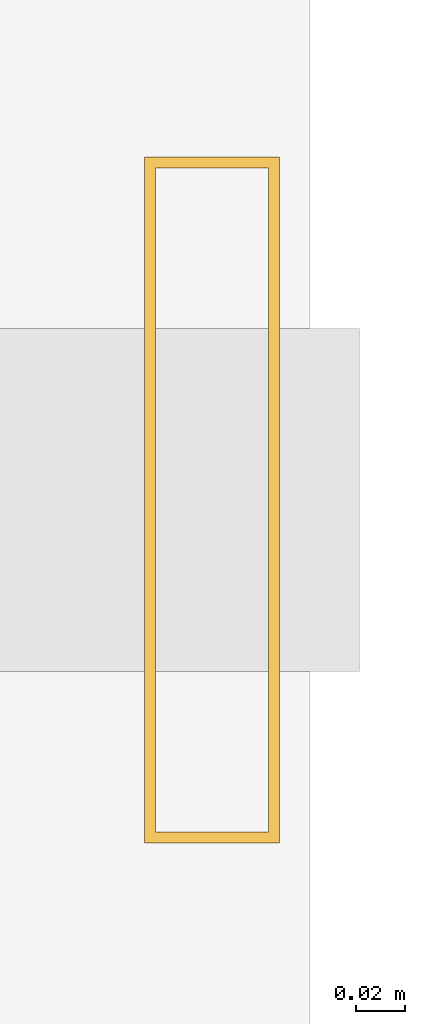
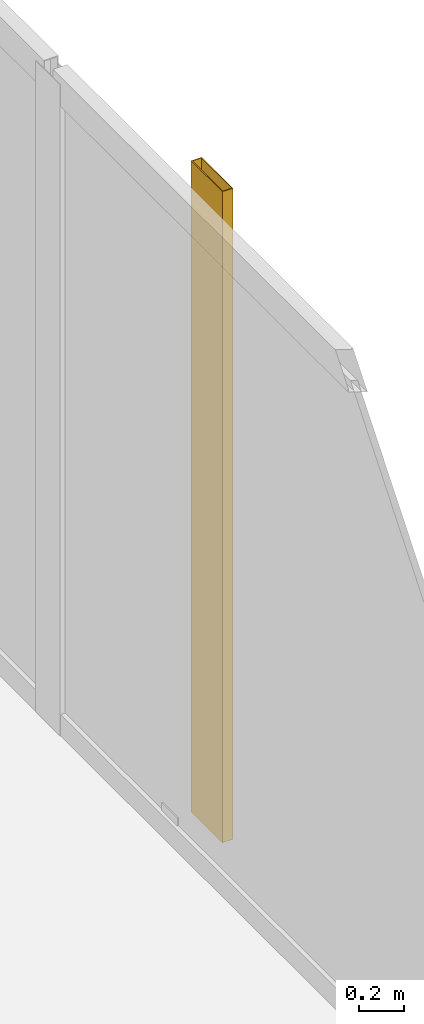
# One storey, part 23 of 23: 1 shading device.
"""IFC4 building model written with IfcOpenShell, lengths in metres."""

from ifc_helpers import new_model, si_unit, direction, frame, origin, origin_2d, place, context, subcontext, project, spatial, hollow_rectangle, extrude, material, material_profile, profile_set, type_object, element, save


model = new_model("IFC4")

# Units and contexts
model_context = context("Model", 3, precision=1e-05, world=origin(), true_north=direction((0.0, 1.0)))
body_context = subcontext(model_context, "Body", "Model", "MODEL_VIEW")
ifc_project = project(units=[si_unit("LENGTHUNIT", "METRE"), si_unit("AREAUNIT", "SQUARE_METRE"), si_unit("VOLUMEUNIT", "CUBIC_METRE"), si_unit("PLANEANGLEUNIT", "RADIAN"), si_unit("MASSUNIT", "GRAM", prefix="KILO")], contexts=[model_context])

# Site, building, storey
site_placement = place(None, origin())
site = spatial("IfcSite", under=ifc_project, at=site_placement, CompositionType="ELEMENT")
building_placement = place(site_placement, origin())
building = spatial("IfcBuilding", under=site, at=building_placement, Name="Kolvaren Waterfront Exchange", CompositionType="ELEMENT")
storey_placement = place(building_placement, frame((0.0, 0.0, 304.60009765625)))
storey = spatial("IfcBuildingStorey", under=building, at=storey_placement, Name="L78", CompositionType="ELEMENT", Elevation=304.60009765625)

# Shading device
ifc_material = material(Name="Anodised bronze aluminium 6063-T6", Category="aluminium")
ifc_material_profile = material_profile(ifc_material, hollow_rectangle(XDim=0.054931640625, YDim=0.280029296875, WallThickness=0.00439453125, at=origin_2d()), Name="BRZ-FIN-280x55x4.5")
ifc_profile_set = profile_set([ifc_material_profile], Name="Anodised bronze aluminium 6063-T6")
shading_device_type = type_object("IfcShadingDeviceType", Name="ARC-FIN-280", PredefinedType="USERDEFINED", material=ifc_profile_set)
shading_device_placement = place(storey_placement, frame((21.244140625, 38.39990234375, 0.0), z_axis=(0.0, 0.0, 1.0), x_axis=(1.0, 0.0, 0.0)))
element("IfcShadingDevice", 1, at=shading_device_placement, inside=storey, type_object=shading_device_type, Name="L78 anodised bronze solar shading fin FIN-L78-E3", ObjectType="SOLAR FIN", PredefinedType="USERDEFINED", context=body_context, shape_type="SweptSolid", body=[
    extrude(hollow_rectangle(XDim=0.054931640625, YDim=0.280029296875, WallThickness=0.00439453125, at=origin_2d()), origin(), (0.0, 0.0, 1.0), 3.559814453125),
])

save(model, "model.ifc")
